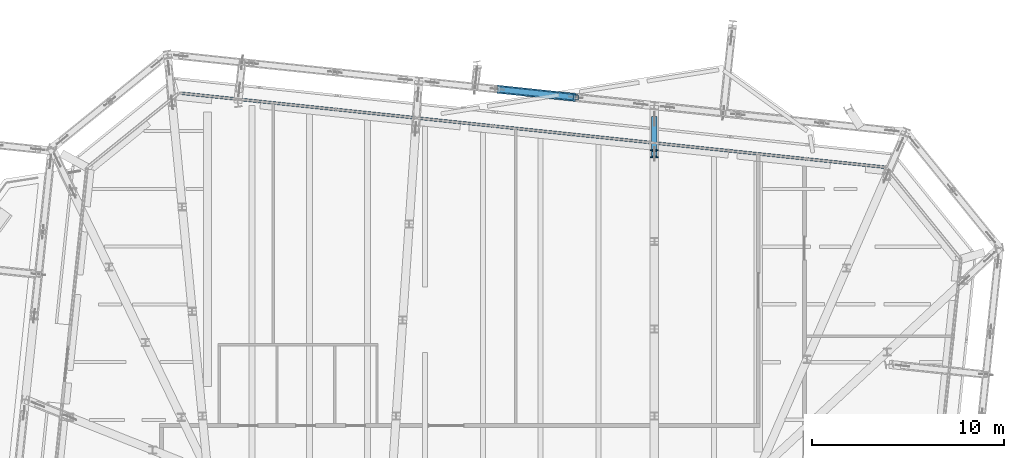
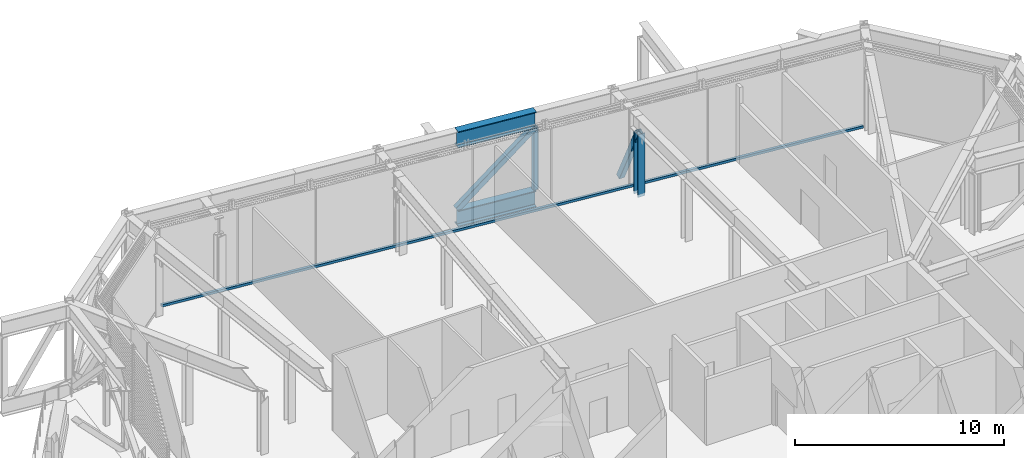
# One storey, part 18 of 36: 5 members, 2 beams, 1 element without a shape of its own.
"""IFC4 building model written with IfcOpenShell, lengths in metres."""

from ifc_helpers import new_model, si_unit, direction, frame, origin, origin_2d, place, context, subcontext, project, spatial, rectangle, hollow_rectangle, i_section, extrude, material, layer, layer_set, material_profile, profile_set, type_object, element, aggregate, save


model = new_model("IFC4")

# Units and contexts
model_context = context("Model", 3, precision=1e-05, world=origin(), true_north=direction((0.0, 1.0)))
body_context = subcontext(model_context, "Body", "Model", "MODEL_VIEW")
ifc_project = project(units=[si_unit("LENGTHUNIT", "METRE"), si_unit("AREAUNIT", "SQUARE_METRE"), si_unit("VOLUMEUNIT", "CUBIC_METRE"), si_unit("PLANEANGLEUNIT", "RADIAN"), si_unit("MASSUNIT", "GRAM", prefix="KILO")], contexts=[model_context])

# Site, building, storey
site_placement = place(None, origin())
site = spatial("IfcSite", under=ifc_project, at=site_placement, CompositionType="ELEMENT")
building_placement = place(site_placement, origin())
building = spatial("IfcBuilding", under=site, at=building_placement, Name="Millrace Tower", CompositionType="ELEMENT")
storey_placement = place(building_placement, frame((0.0, 0.0, 271.39990234375)))
storey = spatial("IfcBuildingStorey", under=building, at=storey_placement, Name="L62", CompositionType="ELEMENT", Elevation=271.39990234375)

# Curtain wall, member
ifc_material_1 = material(Name="Aluminium and glass", Category="aluminium")
ifc_layer = layer(ifc_material_1, 0.14990234375)
ifc_layer_set = layer_set([ifc_layer], Name="Aluminium and glass")
curtain_wall_type = type_object("IfcCurtainWallType", Name="CW-5 truss and plant storey louvred infill", PredefinedType="NOTDEFINED", material=ifc_layer_set)
curtain_wall_placement = place(storey_placement, origin())
curtain_wall = element("IfcCurtainWall", 1, at=curtain_wall_placement, inside=storey, type_object=curtain_wall_type, Name="Curtain wall E-F06 L62", PredefinedType="NOTDEFINED")
ifc_material_2 = material(Name="Aluminium", Category="aluminium")
ifc_material_profile_1 = material_profile(ifc_material_2, rectangle(XDim=0.14990234375, YDim=0.139892578125, at=origin_2d()))
ifc_profile_set_1 = profile_set([ifc_material_profile_1], Name="Aluminium")
member_type_1 = type_object("IfcMemberType", Name="CW-5 truss and plant storey louvred infill transom", PredefinedType="USERDEFINED", material=ifc_profile_set_1)
member_1_placement = place(storey_placement, frame((20.83544921875, 25.1318359375, 0.070068359375), z_axis=(-0.994521952886, 0.104527916025, 0.0), x_axis=(-0.104527916025, -0.994521952886, 0.0)))
member_1 = element("IfcMember", 2, at=member_1_placement, type_object=member_type_1, Name="CW5 transom E-F06.1", ObjectType="TRANSOM", PredefinedType="USERDEFINED", context=body_context, shape_type="SweptSolid", body=[
    extrude(rectangle(XDim=0.14990234375, YDim=0.139892578125, at=origin_2d()), origin(), (0.0, 0.0, 1.0), 36.699951171875),
])
aggregate(curtain_wall, [member_1])

# Member
ifc_material_3 = material(Name="Steel ASTM A992 Grade 50", Category="steel")
ifc_material_profile_2 = material_profile(ifc_material_3, i_section(OverallWidth=0.4013671875, OverallDepth=0.398681640625, WebThickness=0.02490234375, FlangeThickness=0.03955078125, FilletRadius=0.01513671875, at=origin_2d()))
ifc_profile_set_2 = profile_set([ifc_material_profile_2], Name="Steel ASTM A992 Grade 50")
member_type_2 = type_object("IfcMemberType", Name="Transfer truss Vierendeel moment post W14x211", PredefinedType="POST", material=ifc_profile_set_2)
member_2_placement = place(storey_placement, frame((8.9033203125, 25.821533203125, -0.159912109375), z_axis=(0.0, 0.0, 1.0), x_axis=(1.0, 0.0, 0.0)))
element("IfcMember", 3, at=member_2_placement, inside=storey, type_object=member_type_2, Name="TRS-L62-C11-V01", PredefinedType="POST", context=body_context, shape_type="SweptSolid", body=[
    extrude(i_section(OverallWidth=0.4013671875, OverallDepth=0.398681640625, WebThickness=0.02490234375, FlangeThickness=0.03955078125, FilletRadius=0.01513671875, at=origin_2d()), origin(), (0.0, 0.0, 1.0), 3.652587890625),
])

# Beams
ifc_material_4 = material(Name="Steel ASTM A992 Grade 50", Category="steel")
ifc_material_profile_3 = material_profile(ifc_material_4, i_section(OverallWidth=0.424072265625, OverallDepth=0.947509765625, WebThickness=0.02392578125, FlangeThickness=0.042724609375, FilletRadius=0.024169921875, at=origin_2d()))
ifc_profile_set_3 = profile_set([ifc_material_profile_3], Name="Steel ASTM A992 Grade 50")
beam_type = type_object("IfcBeamType", Name="Transfer truss chord W36x302", PredefinedType="BEAM", material=ifc_profile_set_3)
for number, where, z_axis, x_axis, name in (
    (4, (4.825927734375, 28.750244140625, -0.633544921875), (-0.994524686351, 0.104501905433, 0.0), (-0.104501905433, -0.994524686351, 0.0), "TRS-L62-R11-B02"),
    (5, (4.825927734375, 28.750244140625, 3.96630859375), (-0.994524686351, 0.104501905433, 0.0), (-0.104501905433, -0.994524686351, 0.0), "TRS-L62-R11-T02"),
):
    element("IfcBeam", number, at=place(storey_placement, frame(where, z_axis=z_axis, x_axis=x_axis)), inside=storey, type_object=beam_type, Name=name, PredefinedType="BEAM", context=body_context, shape_type="SweptSolid", body=[
        extrude(i_section(OverallWidth=0.424072265625, OverallDepth=0.947509765625, WebThickness=0.02392578125, FlangeThickness=0.042724609375, FilletRadius=0.024169921875, at=origin_2d()), origin(), (0.0, 0.0, 1.0), 4.10009765625),
    ])

# Members
ifc_material_5 = material(Name="Steel ASTM A500 Grade C", Category="steel")
ifc_material_profile_4 = material_profile(ifc_material_5, hollow_rectangle(XDim=0.3046875, YDim=0.3046875, WallThickness=0.0126953125, InnerFilletRadius=0.00634765625, OuterFilletRadius=0.01904296875, at=origin_2d()))
ifc_profile_set_4 = profile_set([ifc_material_profile_4], Name="Steel ASTM A500 Grade C")
member_type_3 = type_object("IfcMemberType", Name="Transfer truss diagonal HSS12x12x1/2", PredefinedType="BRACE", material=ifc_profile_set_4)
member_3_placement = place(storey_placement, frame((0.748291015625, 29.1787109375, -0.159912109375), z_axis=(0.742591074882, -0.078029417819, 0.665184113957), x_axis=(0.104501905433, 0.994524686351, 0.0)))
element("IfcMember", 6, at=member_3_placement, inside=storey, type_object=member_type_3, Name="TRS-L62-R11-D02", PredefinedType="BRACE", context=body_context, shape_type="SweptSolid", body=[
    extrude(hollow_rectangle(XDim=0.3046875, YDim=0.3046875, WallThickness=0.0126953125, InnerFilletRadius=0.00634765625, OuterFilletRadius=0.01904296875, at=origin_2d()), origin(), (0.0, 0.0, 1.0), 5.4912109375),
])
member_4_placement = place(storey_placement, frame((8.9033203125, 27.62158203125, -0.159912109375), z_axis=(0.0, -0.442050013477, 0.896990404399), x_axis=(1.0, 0.0, 0.0)))
element("IfcMember", 7, at=member_4_placement, inside=storey, type_object=member_type_3, Name="TRS-L62-C11-D01", PredefinedType="BRACE", context=body_context, shape_type="SweptSolid", body=[
    extrude(hollow_rectangle(XDim=0.3046875, YDim=0.3046875, WallThickness=0.0126953125, InnerFilletRadius=0.00634765625, OuterFilletRadius=0.01904296875, at=origin_2d()), origin(), (0.0, 0.0, 1.0), 4.072021484375),
])
ifc_material_6 = material(Name="Steel ASTM A500 Grade C", Category="steel")
ifc_material_profile_5 = material_profile(ifc_material_6, hollow_rectangle(XDim=0.25390625, YDim=0.25390625, WallThickness=0.0126953125, InnerFilletRadius=0.00634765625, OuterFilletRadius=0.01904296875, at=origin_2d()))
ifc_profile_set_5 = profile_set([ifc_material_profile_5], Name="Steel ASTM A500 Grade C")
member_type_4 = type_object("IfcMemberType", Name="Transfer truss post HSS10x10x1/2", PredefinedType="POST", material=ifc_profile_set_5)
member_5_placement = place(storey_placement, frame((4.825927734375, 28.750244140625, -0.159912109375), z_axis=(0.0, 0.0, 1.0), x_axis=(1.0, 0.0, 0.0)))
element("IfcMember", 8, at=member_5_placement, inside=storey, type_object=member_type_4, Name="TRS-L62-R11-V01", PredefinedType="POST", context=body_context, shape_type="SweptSolid", body=[
    extrude(hollow_rectangle(XDim=0.25390625, YDim=0.25390625, WallThickness=0.0126953125, InnerFilletRadius=0.00634765625, OuterFilletRadius=0.01904296875, at=origin_2d()), origin(), (0.0, 0.0, 1.0), 3.652587890625),
])

save(model, "model.ifc")
